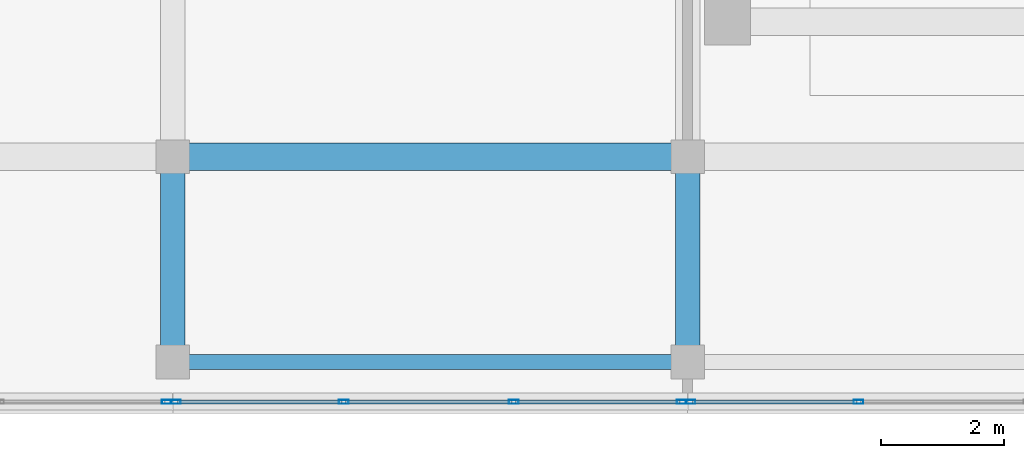
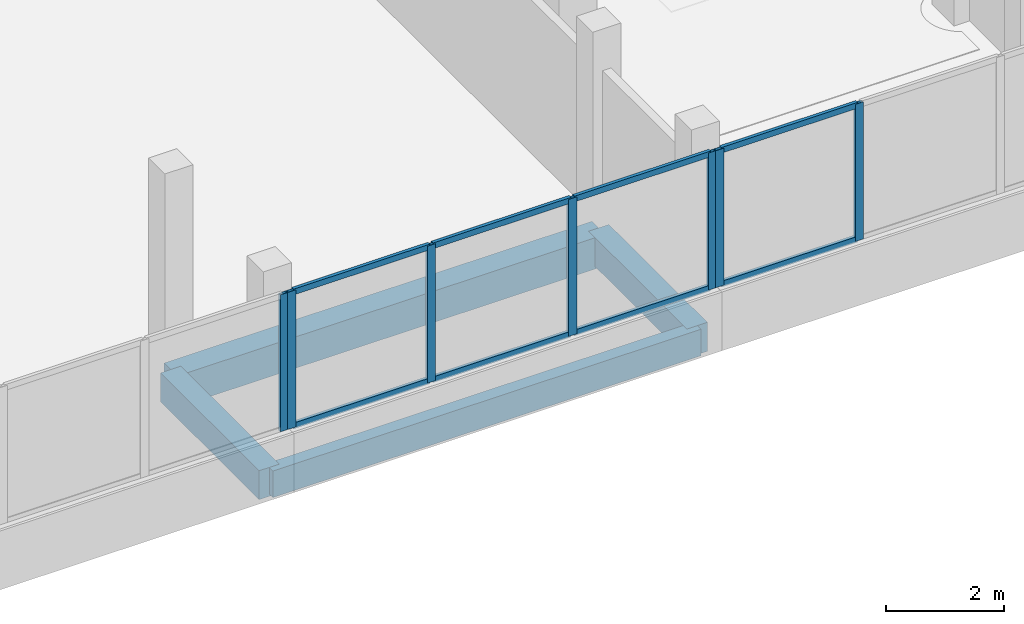
# One storey, part 6 of 66: 15 members, 4 beams, 3 elements without a shape of their own.
"""IFC4 building model written with IfcOpenShell, lengths in metres."""

from ifc_helpers import new_model, si_unit, direction, frame, origin, origin_2d, place, context, subcontext, project, spatial, rectangle, hollow_rectangle, extrude, material, material_profile, profile_set, type_object, element, aggregate, save


model = new_model("IFC4")

# Units and contexts
model_context = context("Model", 3, precision=1e-05, world=origin(), true_north=direction((0.0, 1.0)))
body_context = subcontext(model_context, "Body", "Model", "MODEL_VIEW")
ifc_project = project(units=[si_unit("LENGTHUNIT", "METRE"), si_unit("AREAUNIT", "SQUARE_METRE"), si_unit("VOLUMEUNIT", "CUBIC_METRE"), si_unit("PLANEANGLEUNIT", "RADIAN"), si_unit("MASSUNIT", "GRAM", prefix="KILO")], contexts=[model_context])

# Site, building, storey
site_placement = place(None, origin())
site = spatial("IfcSite", under=ifc_project, at=site_placement, CompositionType="ELEMENT")
building_placement = place(site_placement, origin())
building = spatial("IfcBuilding", under=site, at=building_placement, Name="Selatvlak General Hospital", CompositionType="ELEMENT")
storey_placement = place(building_placement, frame((0.0, 0.0, 31.35009765625)))
storey = spatial("IfcBuildingStorey", under=building, at=storey_placement, Name="L07", CompositionType="ELEMENT", Elevation=31.35009765625)

# Beams
ifc_material_1 = material(Name="Concrete C40/50", Category="concrete")
ifc_material_profile_1 = material_profile(ifc_material_1, rectangle(XDim=0.449951171875, YDim=0.64990234375, at=origin_2d()), Name="RC-BM 450x650")
ifc_profile_set_1 = profile_set([ifc_material_profile_1], Name="Concrete C40/50")
beam_type_1 = type_object("IfcBeamType", Name="BM-G04", PredefinedType="BEAM", material=ifc_profile_set_1)
beam_1_placement = place(storey_placement, frame((39.60009765625, 92.0, -0.59521484375), z_axis=(1.0, 0.0, 0.0), x_axis=(0.0, 1.0, 0.0)))
element("IfcBeam", 1, at=beam_1_placement, inside=storey, type_object=beam_type_1, Name="Beam BMR-L07-2383", PredefinedType="BEAM", context=body_context, shape_type="SweptSolid", body=[
    extrude(rectangle(XDim=0.449951171875, YDim=0.64990234375, at=origin_2d()), origin(), (0.0, 0.0, 1.0), 8.39990234375),
])
ifc_material_profile_2 = material_profile(ifc_material_1, rectangle(XDim=0.39990234375, YDim=0.60009765625, at=origin_2d()), Name="RC-BM 400x600")
ifc_profile_set_2 = profile_set([ifc_material_profile_2], Name="Concrete C40/50")
beam_type_2 = type_object("IfcBeamType", Name="BM-G05", PredefinedType="BEAM", material=ifc_profile_set_2)
for number, where, z_axis, x_axis, name in (
    (2, (39.60009765625, 88.64990234375, -0.570068359375), (0.0, 1.0, 0.0), (-1.0, 0.0, 0.0), "Beam BMR-L07-2464"),
    (3, (48.0, 88.64990234375, -0.570068359375), (0.0, 1.0, 0.0), (-1.0, 0.0, 0.0), "Beam BMR-L07-2469"),
):
    element("IfcBeam", number, at=place(storey_placement, frame(where, z_axis=z_axis, x_axis=x_axis)), inside=storey, type_object=beam_type_2, Name=name, PredefinedType="BEAM", context=body_context, shape_type="SweptSolid", body=[
        extrude(rectangle(XDim=0.39990234375, YDim=0.60009765625, at=origin_2d()), origin(), (0.0, 0.0, 1.0), 3.35009765625),
    ])
ifc_material_profile_3 = material_profile(ifc_material_1, rectangle(XDim=0.25, YDim=0.550048828125, at=origin_2d()), Name="RC-SP 250x550")
ifc_profile_set_3 = profile_set([ifc_material_profile_3], Name="Concrete C40/50")
beam_type_3 = type_object("IfcBeamType", Name="BM-SP2", PredefinedType="SPANDREL", material=ifc_profile_set_3)
beam_2_placement = place(storey_placement, frame((39.60009765625, 88.64990234375, -0.545166015625), z_axis=(1.0, 0.0, 0.0), x_axis=(0.0, 1.0, 0.0)))
element("IfcBeam", 4, at=beam_2_placement, inside=storey, type_object=beam_type_3, Name="Beam BMR-L07-2364", PredefinedType="SPANDREL", context=body_context, shape_type="SweptSolid", body=[
    extrude(rectangle(XDim=0.25, YDim=0.550048828125, at=origin_2d()), origin(), (0.0, 0.0, 1.0), 8.39990234375),
])

# Curtain wall, members
ifc_material_2 = material(Name="Solar-control Low-E double glazing", Category="glass")
curtain_wall_type_1 = type_object("IfcCurtainWallType", Name="CW-CW-02", PredefinedType="USERDEFINED", material=ifc_material_2)
curtain_wall_1_placement = place(storey_placement, origin())
curtain_wall_1 = element("IfcCurtainWall", 5, at=curtain_wall_1_placement, inside=storey, type_object=curtain_wall_type_1, Name="Glazed facade curtain wall CW-L07-0676", ObjectType="UNITISED CURTAIN WALL", PredefinedType="USERDEFINED")
ifc_material_3 = material(Name="Dark anodised aluminium mullion", Category="aluminium")
ifc_material_profile_4 = material_profile(ifc_material_3, hollow_rectangle(XDim=0.06494140625, YDim=0.159912109375, WallThickness=0.00390625, at=origin_2d()), Name="AL-MUL 65x160x4")
ifc_profile_set_4 = profile_set([ifc_material_profile_4], Name="Dark anodised aluminium mullion")
member_type_1 = type_object("IfcMemberType", Name="CWM-01", PredefinedType="MULLION", material=ifc_profile_set_4)
member_1_placement = place(storey_placement, frame((50.788330078125, 88.0, 0.93994140625), z_axis=(0.0, 0.0, 1.0), x_axis=(0.0, -1.0, 0.0)))
member_1 = element("IfcMember", 6, at=member_1_placement, type_object=member_type_1, Name="CW-02 mullion 3", PredefinedType="MULLION", context=body_context, shape_type="SweptSolid", body=[
    extrude(hollow_rectangle(XDim=0.06494140625, YDim=0.159912109375, WallThickness=0.00390625, at=origin_2d()), origin(), (0.0, 0.0, 1.0), 2.844970703125),
])
member_2_placement = place(storey_placement, frame((48.047607421875, 88.0, 0.93994140625), z_axis=(0.0, 0.0, 1.0), x_axis=(0.0, -1.0, 0.0)))
member_2 = element("IfcMember", 7, at=member_2_placement, type_object=member_type_1, Name="CW-02 mullion 4", PredefinedType="MULLION", context=body_context, shape_type="SweptSolid", body=[
    extrude(hollow_rectangle(XDim=0.06494140625, YDim=0.159912109375, WallThickness=0.00390625, at=origin_2d()), origin(), (0.0, 0.0, 1.0), 2.844970703125),
])

curtain_wall_type_2 = type_object("IfcCurtainWallType", Name="CW-CW-01", PredefinedType="USERDEFINED", material=ifc_material_2)
curtain_wall_2_placement = place(storey_placement, origin())
curtain_wall_2 = element("IfcCurtainWall", 8, at=curtain_wall_2_placement, inside=storey, type_object=curtain_wall_type_2, Name="Glazed facade curtain wall CW-L07-0677", ObjectType="UNITISED CURTAIN WALL", PredefinedType="USERDEFINED")
member_3_placement = place(storey_placement, frame((47.902587890625, 88.0, 0.93994140625), z_axis=(0.0, 0.0, 1.0), x_axis=(0.0, -1.0, 0.0)))
member_3 = element("IfcMember", 9, at=member_3_placement, type_object=member_type_1, Name="CW-01 mullion 1", PredefinedType="MULLION", context=body_context, shape_type="SweptSolid", body=[
    extrude(hollow_rectangle(XDim=0.06494140625, YDim=0.159912109375, WallThickness=0.00390625, at=origin_2d()), origin(), (0.0, 0.0, 1.0), 2.844970703125),
])
member_4_placement = place(storey_placement, frame((45.16162109375, 88.0, 0.93994140625), z_axis=(0.0, 0.0, 1.0), x_axis=(0.0, -1.0, 0.0)))
member_4 = element("IfcMember", 10, at=member_4_placement, type_object=member_type_1, Name="CW-01 mullion 2", PredefinedType="MULLION", context=body_context, shape_type="SweptSolid", body=[
    extrude(hollow_rectangle(XDim=0.06494140625, YDim=0.159912109375, WallThickness=0.00390625, at=origin_2d()), origin(), (0.0, 0.0, 1.0), 2.844970703125),
])
member_5_placement = place(storey_placement, frame((42.388427734375, 88.0, 0.93994140625), z_axis=(0.0, 0.0, 1.0), x_axis=(0.0, -1.0, 0.0)))
member_5 = element("IfcMember", 11, at=member_5_placement, type_object=member_type_1, Name="CW-01 mullion 3", PredefinedType="MULLION", context=body_context, shape_type="SweptSolid", body=[
    extrude(hollow_rectangle(XDim=0.06494140625, YDim=0.159912109375, WallThickness=0.00390625, at=origin_2d()), origin(), (0.0, 0.0, 1.0), 2.844970703125),
])
member_6_placement = place(storey_placement, frame((39.6474609375, 88.0, 0.93994140625), z_axis=(0.0, 0.0, 1.0), x_axis=(0.0, -1.0, 0.0)))
member_6 = element("IfcMember", 12, at=member_6_placement, type_object=member_type_1, Name="CW-01 mullion 4", PredefinedType="MULLION", context=body_context, shape_type="SweptSolid", body=[
    extrude(hollow_rectangle(XDim=0.06494140625, YDim=0.159912109375, WallThickness=0.00390625, at=origin_2d()), origin(), (0.0, 0.0, 1.0), 2.844970703125),
])

# Curtain wall, member
curtain_wall_3_placement = place(storey_placement, origin())
curtain_wall_3 = element("IfcCurtainWall", 13, at=curtain_wall_3_placement, inside=storey, type_object=curtain_wall_type_1, Name="Glazed facade curtain wall CW-L07-0678", ObjectType="UNITISED CURTAIN WALL", PredefinedType="USERDEFINED")
member_7_placement = place(storey_placement, frame((39.50244140625, 88.0, 0.93994140625), z_axis=(0.0, 0.0, 1.0), x_axis=(0.0, -1.0, 0.0)))
member_7 = element("IfcMember", 14, at=member_7_placement, type_object=member_type_1, Name="CW-02 mullion 1", PredefinedType="MULLION", context=body_context, shape_type="SweptSolid", body=[
    extrude(hollow_rectangle(XDim=0.06494140625, YDim=0.159912109375, WallThickness=0.00390625, at=origin_2d()), origin(), (0.0, 0.0, 1.0), 2.844970703125),
])
aggregate(curtain_wall_3, [member_7])

# Member
ifc_material_profile_5 = material_profile(ifc_material_3, hollow_rectangle(XDim=0.06494140625, YDim=0.1201171875, WallThickness=0.00390625, at=origin_2d()), Name="AL-TRN 65x120x4")
ifc_profile_set_5 = profile_set([ifc_material_profile_5], Name="Dark anodised aluminium mullion")
member_type_2 = type_object("IfcMemberType", Name="CWT-01", PredefinedType="USERDEFINED", material=ifc_profile_set_5)
member_8_placement = place(storey_placement, frame((50.755859375, 88.0, 0.972412109375), z_axis=(-1.0, 0.0, 0.0), x_axis=(0.0, -1.0, 0.0)))
member_8 = element("IfcMember", 15, at=member_8_placement, type_object=member_type_2, Name="CW-02 transom 3.1", ObjectType="TRANSOM", PredefinedType="USERDEFINED", context=body_context, shape_type="SweptSolid", body=[
    extrude(hollow_rectangle(XDim=0.06494140625, YDim=0.1201171875, WallThickness=0.00390625, at=origin_2d()), origin(), (0.0, 0.0, 1.0), 2.67578125),
])

member_9_placement = place(storey_placement, frame((50.755859375, 88.0, 3.75244140625), z_axis=(-1.0, 0.0, 0.0), x_axis=(0.0, -1.0, 0.0)))
member_9 = element("IfcMember", 16, at=member_9_placement, type_object=member_type_2, Name="CW-02 transom 3.2", ObjectType="TRANSOM", PredefinedType="USERDEFINED", context=body_context, shape_type="SweptSolid", body=[
    extrude(hollow_rectangle(XDim=0.06494140625, YDim=0.1201171875, WallThickness=0.00390625, at=origin_2d()), origin(), (0.0, 0.0, 1.0), 2.67578125),
])

aggregate(curtain_wall_1, [member_1, member_2, member_8, member_9])

member_10_placement = place(storey_placement, frame((47.8701171875, 88.0, 0.972412109375), z_axis=(-1.0, 0.0, 0.0), x_axis=(0.0, -1.0, 0.0)))
member_10 = element("IfcMember", 17, at=member_10_placement, type_object=member_type_2, Name="CW-01 transom 1.1", ObjectType="TRANSOM", PredefinedType="USERDEFINED", context=body_context, shape_type="SweptSolid", body=[
    extrude(hollow_rectangle(XDim=0.06494140625, YDim=0.1201171875, WallThickness=0.00390625, at=origin_2d()), origin(), (0.0, 0.0, 1.0), 2.676025390625),
])

member_11_placement = place(storey_placement, frame((47.8701171875, 88.0, 3.75244140625), z_axis=(-1.0, 0.0, 0.0), x_axis=(0.0, -1.0, 0.0)))
member_11 = element("IfcMember", 18, at=member_11_placement, type_object=member_type_2, Name="CW-01 transom 1.2", ObjectType="TRANSOM", PredefinedType="USERDEFINED", context=body_context, shape_type="SweptSolid", body=[
    extrude(hollow_rectangle(XDim=0.06494140625, YDim=0.1201171875, WallThickness=0.00390625, at=origin_2d()), origin(), (0.0, 0.0, 1.0), 2.676025390625),
])

member_12_placement = place(storey_placement, frame((45.129150390625, 88.0, 0.972412109375), z_axis=(-1.0, 0.0, 0.0), x_axis=(0.0, -1.0, 0.0)))
member_12 = element("IfcMember", 19, at=member_12_placement, type_object=member_type_2, Name="CW-01 transom 2.1", ObjectType="TRANSOM", PredefinedType="USERDEFINED", context=body_context, shape_type="SweptSolid", body=[
    extrude(hollow_rectangle(XDim=0.06494140625, YDim=0.1201171875, WallThickness=0.00390625, at=origin_2d()), origin(), (0.0, 0.0, 1.0), 2.708251953125),
])

member_13_placement = place(storey_placement, frame((45.129150390625, 88.0, 3.75244140625), z_axis=(-1.0, 0.0, 0.0), x_axis=(0.0, -1.0, 0.0)))
member_13 = element("IfcMember", 20, at=member_13_placement, type_object=member_type_2, Name="CW-01 transom 2.2", ObjectType="TRANSOM", PredefinedType="USERDEFINED", context=body_context, shape_type="SweptSolid", body=[
    extrude(hollow_rectangle(XDim=0.06494140625, YDim=0.1201171875, WallThickness=0.00390625, at=origin_2d()), origin(), (0.0, 0.0, 1.0), 2.708251953125),
])

member_14_placement = place(storey_placement, frame((42.355712890625, 88.0, 0.972412109375), z_axis=(-1.0, 0.0, 0.0), x_axis=(0.0, -1.0, 0.0)))
member_14 = element("IfcMember", 21, at=member_14_placement, type_object=member_type_2, Name="CW-01 transom 3.1", ObjectType="TRANSOM", PredefinedType="USERDEFINED", context=body_context, shape_type="SweptSolid", body=[
    extrude(hollow_rectangle(XDim=0.06494140625, YDim=0.1201171875, WallThickness=0.00390625, at=origin_2d()), origin(), (0.0, 0.0, 1.0), 2.67578125),
])

member_15_placement = place(storey_placement, frame((42.355712890625, 88.0, 3.75244140625), z_axis=(-1.0, 0.0, 0.0), x_axis=(0.0, -1.0, 0.0)))
member_15 = element("IfcMember", 22, at=member_15_placement, type_object=member_type_2, Name="CW-01 transom 3.2", ObjectType="TRANSOM", PredefinedType="USERDEFINED", context=body_context, shape_type="SweptSolid", body=[
    extrude(hollow_rectangle(XDim=0.06494140625, YDim=0.1201171875, WallThickness=0.00390625, at=origin_2d()), origin(), (0.0, 0.0, 1.0), 2.67578125),
])

aggregate(curtain_wall_2, [member_3, member_4, member_5, member_6, member_10, member_11, member_12, member_13, member_14, member_15])

save(model, "model.ifc")
